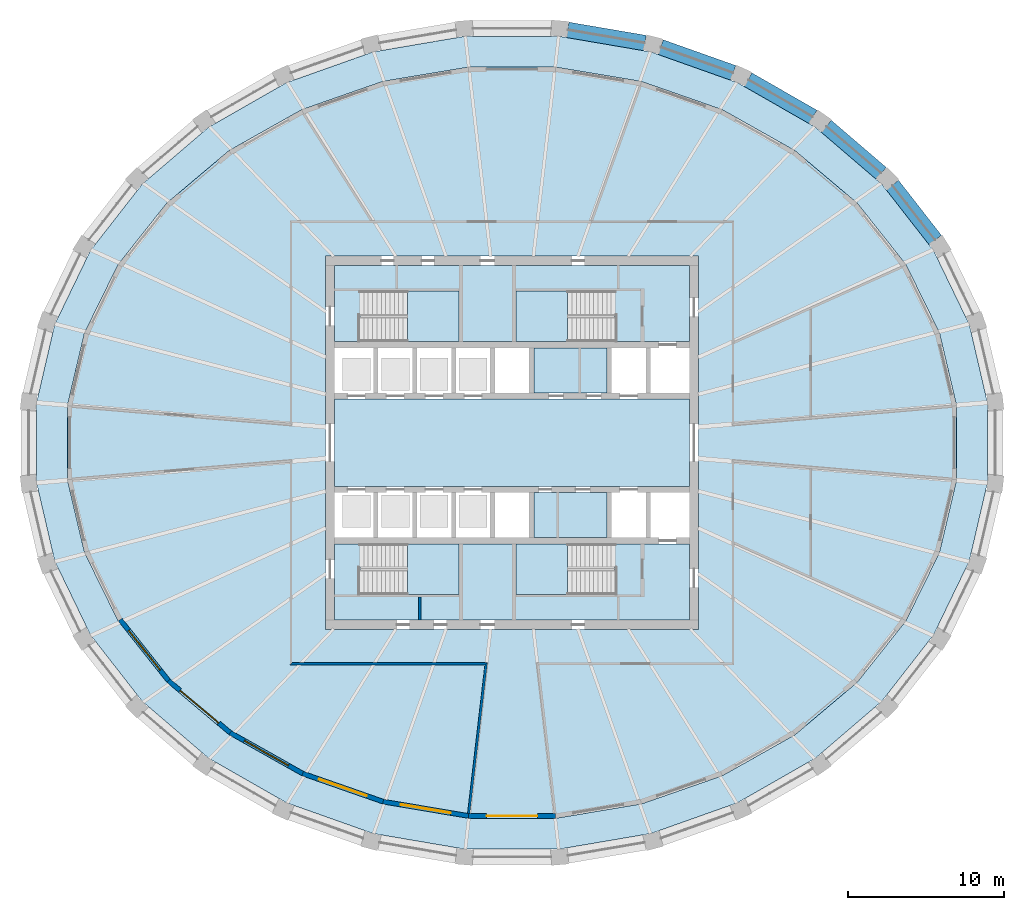
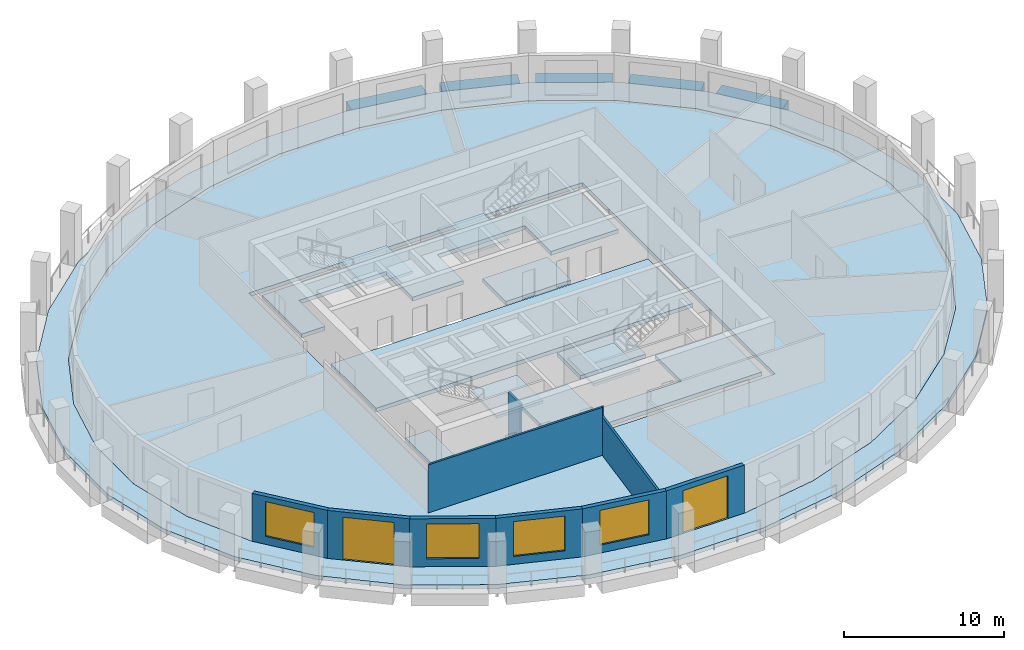
# One storey, part 2 of 10: 11 slabs, 9 walls, 5 beams, 4 windows, 2 doors, 6 openings, 4 elements without a shape of their own.
"""IFC4 building model written with IfcOpenShell, lengths in metres."""

from ifc_helpers import new_model, si_unit, direction, frame, frame_2d, origin, origin_2d, place, context, subcontext, project, spatial, polyline, rectangle, outline, extrude, material, layer, layer_set, material_profile, profile_set, type_object, element, fill, aggregate, save


model = new_model("IFC4")

# Units and contexts
model_context = context("Model", 3, precision=1e-05, world=origin(), true_north=direction((0.0, 1.0)))
body_context = subcontext(model_context, "Body", "Model", "MODEL_VIEW")
ifc_project = project(units=[si_unit("LENGTHUNIT", "METRE"), si_unit("AREAUNIT", "SQUARE_METRE"), si_unit("VOLUMEUNIT", "CUBIC_METRE"), si_unit("PLANEANGLEUNIT", "RADIAN"), si_unit("MASSUNIT", "GRAM", prefix="KILO")], contexts=[model_context])

# Site, building, storey
site_placement = place(None, origin())
site = spatial("IfcSite", under=ifc_project, at=site_placement, CompositionType="ELEMENT")
building_placement = place(site_placement, origin())
building = spatial("IfcBuilding", under=site, at=building_placement, Name="Halqa Exchange Tower", CompositionType="ELEMENT")
storey_placement = place(building_placement, frame((0.0, 0.0, 246.89990234375)))
storey = spatial("IfcBuildingStorey", under=building, at=storey_placement, Name="L57", CompositionType="ELEMENT", Elevation=246.89990234375)

# Beams
ifc_material_1 = material(Name="Concrete C60/75", Category="concrete")
ifc_material_profile = material_profile(ifc_material_1, rectangle(XDim=1.0, YDim=0.89990234375, at=origin_2d()), Name="1000 x 900")
ifc_profile_set = profile_set([ifc_material_profile], Name="Concrete C60/75")
beam_type = type_object("IfcBeamType", Name="RC spandrel beam 1000 x 900 C60/75", PredefinedType="SPANDREL", material=ifc_profile_set)
beam_1_placement = place(storey_placement, frame((27.20263671875, 13.024658203125, -0.449951171875), z_axis=(-0.614827074471, 0.788661948174, 0.0), x_axis=(-0.788661948174, -0.614827074471, 0.0)))
element("IfcBeam", 1, at=beam_1_placement, inside=storey, type_object=beam_type, Name="Spandrel 3", PredefinedType="SPANDREL", context=body_context, shape_type="SweptSolid", body=[
    extrude(rectangle(XDim=1.0, YDim=0.89990234375, at=origin_2d()), origin(), (0.0, 0.0, 1.0), 4.478759765625),
])
beam_2_placement = place(storey_placement, frame((23.72802734375, 17.312255859375, -0.449951171875), z_axis=(-0.759267722395, 0.650778399864, 0.0), x_axis=(-0.650778399864, -0.759267722395, 0.0)))
element("IfcBeam", 2, at=beam_2_placement, inside=storey, type_object=beam_type, Name="Spandrel 4", PredefinedType="SPANDREL", context=body_context, shape_type="SweptSolid", body=[
    extrude(rectangle(XDim=1.0, YDim=0.89990234375, at=origin_2d()), origin(), (0.0, 0.0, 1.0), 4.649169921875),
])
beam_3_placement = place(storey_placement, frame((19.345458984375, 20.939697265625, -0.449951171875), z_axis=(-0.8677465318, 0.497006998491, 0.0), x_axis=(-0.497006998491, -0.8677465318, 0.0)))
element("IfcBeam", 3, at=beam_3_placement, inside=storey, type_object=beam_type, Name="Spandrel 5", PredefinedType="SPANDREL", context=body_context, shape_type="SweptSolid", body=[
    extrude(rectangle(XDim=1.0, YDim=0.89990234375, at=origin_2d()), origin(), (0.0, 0.0, 1.0), 4.814453125),
])
beam_4_placement = place(storey_placement, frame((14.218994140625, 23.768310546875, -0.449951171875), z_axis=(-0.94237407927, 0.334561047822, 0.0), x_axis=(-0.334561047822, -0.94237407927, 0.0)))
element("IfcBeam", 4, at=beam_4_placement, inside=storey, type_object=beam_type, Name="Spandrel 6", PredefinedType="SPANDREL", context=body_context, shape_type="SweptSolid", body=[
    extrude(rectangle(XDim=1.0, YDim=0.89990234375, at=origin_2d()), origin(), (0.0, 0.0, 1.0), 4.94970703125),
])
beam_5_placement = place(storey_placement, frame((8.543212890625, 25.68798828125, -0.449951171875), z_axis=(-0.985775605401, 0.16806681944, 0.0), x_axis=(-0.16806681944, -0.985775605401, 0.0)))
element("IfcBeam", 5, at=beam_5_placement, inside=storey, type_object=beam_type, Name="Spandrel 7", PredefinedType="SPANDREL", context=body_context, shape_type="SweptSolid", body=[
    extrude(rectangle(XDim=1.0, YDim=0.89990234375, at=origin_2d()), origin(), (0.0, 0.0, 1.0), 5.039306640625),
])

# Slabs
ifc_layer_1 = layer(ifc_material_1, 0.300048828125)
ifc_layer_set_1 = layer_set([ifc_layer_1], Name="Concrete C60/75")
slab_type_1 = type_object("IfcSlabType", Name="Core floor slab 300", PredefinedType="FLOOR", material=ifc_layer_set_1)
slab_1_placement = place(storey_placement, frame((0.0, 0.0, -0.2998046875)))
element("IfcSlab", 6, at=slab_1_placement, inside=storey, type_object=slab_type_1, Name="Core floor slab", PredefinedType="FLOOR", context=body_context, shape_type="SweptSolid", body=[
    extrude(outline(polyline([(-11.39990234375, 2.800048828125), (11.39990234375, 2.800048828125), (11.39990234375, -2.800048828125), (-11.39990234375, -2.800048828125), (-11.39990234375, 2.800048828125)])), origin(), (0.0, 0.0, 1.0), 0.2998046875),
])
slab_2_placement = place(storey_placement, frame((0.0, 0.0, -0.2998046875)))
element("IfcSlab", 7, at=slab_2_placement, inside=storey, type_object=slab_type_1, Name="Core floor slab", PredefinedType="FLOOR", context=body_context, shape_type="SweptSolid", body=[
    extrude(outline(polyline([(-11.39990234375, 11.39990234375), (11.39990234375, 11.39990234375), (11.39990234375, 6.5), (6.550048828125, 6.5), (6.550048828125, 9.75), (0.25, 9.75), (0.25, 6.5), (-3.39990234375, 6.5), (-3.39990234375, 9.75), (-9.699951171875, 9.75), (-9.699951171875, 6.5), (-11.39990234375, 6.5), (-11.39990234375, 11.39990234375)])), origin(), (0.0, 0.0, 1.0), 0.2998046875),
])
slab_3_placement = place(storey_placement, frame((0.0, 0.0, -0.2998046875)))
element("IfcSlab", 8, at=slab_3_placement, inside=storey, type_object=slab_type_1, Name="Core floor slab", PredefinedType="FLOOR", context=body_context, shape_type="SweptSolid", body=[
    extrude(outline(polyline([(-9.699951171875, -9.75), (-3.39990234375, -9.75), (-3.39990234375, -6.5), (0.25, -6.5), (0.25, -9.75), (6.550048828125, -9.75), (6.550048828125, -6.5), (11.39990234375, -6.5), (11.39990234375, -11.39990234375), (-11.39990234375, -11.39990234375), (-11.39990234375, -6.5), (-9.699951171875, -6.5), (-9.699951171875, -9.75)])), origin(), (0.0, 0.0, 1.0), 0.2998046875),
])
slab_4_placement = place(storey_placement, frame((0.0, 0.0, -0.2998046875)))
element("IfcSlab", 9, at=slab_4_placement, inside=storey, type_object=slab_type_1, Name="Core floor slab", PredefinedType="FLOOR", context=body_context, shape_type="SweptSolid", body=[
    extrude(outline(polyline([(6.10009765625, -3.199951171875), (6.10009765625, -6.10009765625), (1.39990234375, -6.10009765625), (1.39990234375, -3.199951171875), (6.10009765625, -3.199951171875)])), origin(), (0.0, 0.0, 1.0), 0.2998046875),
])
slab_5_placement = place(storey_placement, frame((0.0, 0.0, -0.2998046875)))
element("IfcSlab", 10, at=slab_5_placement, inside=storey, type_object=slab_type_1, Name="Core floor slab", PredefinedType="FLOOR", context=body_context, shape_type="SweptSolid", body=[
    extrude(outline(polyline([(6.10009765625, 6.10009765625), (6.10009765625, 3.199951171875), (1.39990234375, 3.199951171875), (1.39990234375, 6.10009765625), (6.10009765625, 6.10009765625)])), origin(), (0.0, 0.0, 1.0), 0.2998046875),
])
ifc_material_2 = material(Name="Concrete C40/50", Category="concrete")
ifc_layer_2 = layer(ifc_material_2, 0.300048828125)
ifc_layer_set_2 = layer_set([ifc_layer_2], Name="Concrete C40/50")
slab_type_2 = type_object("IfcSlabType", Name="RC floor slab 300", PredefinedType="FLOOR", material=ifc_layer_set_2)
slab_6_placement = place(storey_placement, frame((0.0, 0.0, -0.2998046875)))
element("IfcSlab", 11, at=slab_6_placement, inside=storey, type_object=slab_type_2, Name="Floor slab", PredefinedType="FLOOR", context=body_context, shape_type="SweptSolid", body=[
    extrude(outline(polyline([(28.57373046875, 2.382568359375), (27.471435546875, 7.0546875), (25.310791015625, 11.451904296875), (22.177978515625, 15.40478515625), (18.1953125, 18.7626953125), (13.5166015625, 21.398193359375), (8.322021484375, 23.212158203125), (2.809814453125, 24.13671875), (-2.809814453125, 24.13671875), (-8.322021484375, 23.212158203125), (-13.5166015625, 21.398193359375), (-18.1953125, 18.7626953125), (-22.177978515625, 15.40478515625), (-25.310791015625, 11.451904296875), (-27.471435546875, 7.0546875), (-28.57373046875, 2.382568359375), (-28.57373046875, -2.382568359375), (-27.471435546875, -7.0546875), (-25.310791015625, -11.451904296875), (-22.177978515625, -15.40478515625), (-18.1953125, -18.7626953125), (-13.5166015625, -21.398193359375), (-8.322021484375, -23.212158203125), (-2.809814453125, -24.13671875), (2.809814453125, -24.13671875), (8.322021484375, -23.212158203125), (13.5166015625, -21.398193359375), (18.1953125, -18.7626953125), (22.177978515625, -15.40478515625), (25.310791015625, -11.451904296875), (27.471435546875, -7.0546875), (28.57373046875, -2.382568359375), (28.57373046875, 2.382568359375)]), holes=[polyline([(-12.0, -12.0), (12.0, -12.0), (12.0, 12.0), (-12.0, 12.0), (-12.0, -12.0)])]), origin(), (0.0, 0.0, 1.0), 0.2998046875),
])
ifc_layer_3 = layer(ifc_material_2, 0.300048828125)
ifc_layer_set_3 = layer_set([ifc_layer_3], Name="Concrete C40/50")
slab_type_3 = type_object("IfcSlabType", Name="RC loggia slab 300", PredefinedType="FLOOR", material=ifc_layer_set_3)
slab_7_placement = place(storey_placement, frame((0.0, 0.0, -0.2998046875)))
element("IfcSlab", 12, at=slab_7_placement, inside=storey, type_object=slab_type_3, Name="Loggia slab", PredefinedType="FLOOR", context=body_context, shape_type="SweptSolid", body=[
    extrude(outline(polyline([(30.560302734375, 2.564697265625), (30.560302734375, -2.564697265625), (29.39208984375, -7.598388671875), (27.09814453125, -12.34521484375), (23.762451171875, -16.624267578125), (19.51025390625, -20.26904296875), (14.5029296875, -23.136962890625), (8.933349609375, -25.114501953125), (3.016845703125, -26.123046875), (-3.016845703125, -26.123046875), (-8.933349609375, -25.114501953125), (-14.5029296875, -23.136962890625), (-19.51025390625, -20.26904296875), (-23.762451171875, -16.624267578125), (-27.09814453125, -12.34521484375), (-29.39208984375, -7.598388671875), (-30.560302734375, -2.564697265625), (-30.560302734375, 2.564697265625), (-29.39208984375, 7.598388671875), (-27.09814453125, 12.34521484375), (-23.762451171875, 16.624267578125), (-19.51025390625, 20.26904296875), (-14.5029296875, 23.136962890625), (-8.933349609375, 25.114501953125), (-3.016845703125, 26.123046875), (3.016845703125, 26.123046875), (8.933349609375, 25.114501953125), (14.5029296875, 23.136962890625), (19.51025390625, 20.26904296875), (23.762451171875, 16.624267578125), (27.09814453125, 12.34521484375), (29.39208984375, 7.598388671875), (30.560302734375, 2.564697265625)]), holes=[polyline([(28.57373046875, 2.382568359375), (27.471435546875, 7.0546875), (25.310791015625, 11.451904296875), (22.177978515625, 15.40478515625), (18.1953125, 18.7626953125), (13.5166015625, 21.398193359375), (8.322021484375, 23.212158203125), (2.809814453125, 24.13671875), (-2.809814453125, 24.13671875), (-8.322021484375, 23.212158203125), (-13.5166015625, 21.398193359375), (-18.1953125, 18.7626953125), (-22.177978515625, 15.40478515625), (-25.310791015625, 11.451904296875), (-27.471435546875, 7.0546875), (-28.57373046875, 2.382568359375), (-28.57373046875, -2.382568359375), (-27.471435546875, -7.0546875), (-25.310791015625, -11.451904296875), (-22.177978515625, -15.40478515625), (-18.1953125, -18.7626953125), (-13.5166015625, -21.398193359375), (-8.322021484375, -23.212158203125), (-2.809814453125, -24.13671875), (2.809814453125, -24.13671875), (8.322021484375, -23.212158203125), (13.5166015625, -21.398193359375), (18.1953125, -18.7626953125), (22.177978515625, -15.40478515625), (25.310791015625, -11.451904296875), (27.471435546875, -7.0546875), (28.57373046875, -2.382568359375), (28.57373046875, 2.382568359375)])]), origin(), (0.0, 0.0, 1.0), 0.2998046875),
])

# Stair, slab
ifc_material_3 = material(Name="Concrete C30/37", Category="concrete")
stair_type = type_object("IfcStairType", Name="Exit stair 1500 wide", PredefinedType="HALF_TURN_STAIR", material=ifc_material_3)
stair_1_placement = place(storey_placement, origin())
stair_1 = element("IfcStair", 13, at=stair_1_placement, inside=storey, type_object=stair_type, Name="Exit stair ST1", PredefinedType="HALF_TURN_STAIR")
ifc_layer_4 = layer(ifc_material_3, 0.199951171875)
ifc_layer_set_4 = layer_set([ifc_layer_4], Name="Concrete C30/37")
slab_type_4 = type_object("IfcSlabType", Name="Stair landing 200 slab", PredefinedType="LANDING", material=ifc_layer_set_4)
slab_8_placement = place(storey_placement, frame((0.0, 0.0, 1.800048828125)))
slab_8 = element("IfcSlab", 14, at=slab_8_placement, type_object=slab_type_4, Name="ST1 landing 1", PredefinedType="LANDING", context=body_context, shape_type="SweptSolid", body=[
    extrude(outline(polyline([(-6.719970703125, 6.5), (-3.39990234375, 6.5), (-3.39990234375, 9.75), (-6.719970703125, 9.75), (-6.719970703125, 6.5)])), origin(), (0.0, 0.0, 1.0), 0.199951171875),
])
aggregate(stair_1, [slab_8])

stair_2_placement = place(storey_placement, origin())
stair_2 = element("IfcStair", 15, at=stair_2_placement, inside=storey, type_object=stair_type, Name="Exit stair ST2", PredefinedType="HALF_TURN_STAIR")
slab_9_placement = place(storey_placement, frame((0.0, 0.0, 1.800048828125)))
slab_9 = element("IfcSlab", 16, at=slab_9_placement, type_object=slab_type_4, Name="ST2 landing 1", PredefinedType="LANDING", context=body_context, shape_type="SweptSolid", body=[
    extrude(outline(polyline([(0.25, 6.5), (3.570068359375, 6.5), (3.570068359375, 9.75), (0.25, 9.75), (0.25, 6.5)])), origin(), (0.0, 0.0, 1.0), 0.199951171875),
])
aggregate(stair_2, [slab_9])

stair_3_placement = place(storey_placement, origin())
stair_3 = element("IfcStair", 17, at=stair_3_placement, inside=storey, type_object=stair_type, Name="Exit stair ST3", PredefinedType="HALF_TURN_STAIR")
slab_10_placement = place(storey_placement, frame((0.0, 0.0, 1.800048828125)))
slab_10 = element("IfcSlab", 18, at=slab_10_placement, type_object=slab_type_4, Name="ST3 landing 1", PredefinedType="LANDING", context=body_context, shape_type="SweptSolid", body=[
    extrude(outline(polyline([(-6.719970703125, -9.75), (-3.39990234375, -9.75), (-3.39990234375, -6.5), (-6.719970703125, -6.5), (-6.719970703125, -9.75)])), origin(), (0.0, 0.0, 1.0), 0.199951171875),
])
aggregate(stair_3, [slab_10])

stair_4_placement = place(storey_placement, origin())
stair_4 = element("IfcStair", 19, at=stair_4_placement, inside=storey, type_object=stair_type, Name="Exit stair ST4", PredefinedType="HALF_TURN_STAIR")
slab_11_placement = place(storey_placement, frame((0.0, 0.0, 1.800048828125)))
slab_11 = element("IfcSlab", 20, at=slab_11_placement, type_object=slab_type_4, Name="ST4 landing 1", PredefinedType="LANDING", context=body_context, shape_type="SweptSolid", body=[
    extrude(outline(polyline([(0.25, -9.75), (3.570068359375, -9.75), (3.570068359375, -6.5), (0.25, -6.5), (0.25, -9.75)])), origin(), (0.0, 0.0, 1.0), 0.199951171875),
])
aggregate(stair_4, [slab_11])

# Walls
ifc_material_4 = material(Name="Fire-rated gypsum board")
ifc_layer_5 = layer(ifc_material_4, 0.14990234375)
ifc_layer_set_5 = layer_set([ifc_layer_5], Name="Fire-rated gypsum board")
wall_type_1 = type_object("IfcWallType", Name="Fire partition EI 60 150", PredefinedType="PARTITIONING", material=ifc_layer_set_5)
wall_1_placement = place(storey_placement, frame((-2.7841796875, -23.83251953125, 0.0), z_axis=(0.0, 0.0, 1.0), x_axis=(0.115927481877, 0.993257680034, 0.0)))
element("IfcWall", 21, at=wall_1_placement, inside=storey, type_object=wall_type_1, Name="L57-PWL-007", PredefinedType="PARTITIONING", context=body_context, shape_type="SweptSolid", body=[
    extrude(outline(polyline([(0.004638671875, -0.074951171875), (1.960205078125, -0.074951171875), (3.91552734375, -0.074951171875), (5.87109375, -0.074951171875), (7.82666015625, -0.074951171875), (9.7822265625, -0.074951171875), (9.697998046875, 0.0), (9.61376953125, 0.074951171875), (7.69091796875, 0.074951171875), (5.768310546875, 0.074951171875), (3.845458984375, 0.074951171875), (1.9228515625, 0.074951171875), (0.0, 0.074951171875), (0.0, -0.03515625), (0.004638671875, -0.074951171875)])), origin(), (0.0, 0.0, 1.0), 2.897216796875),
])
wall_2_placement = place(storey_placement, frame((-1.57568359375, -14.199951171875, 0.0), z_axis=(0.0, 0.0, 1.0), x_axis=(-1.0, 0.0, 0.0)))
element("IfcWall", 22, at=wall_2_placement, inside=storey, type_object=wall_type_1, Name="L57-PWL-008", PredefinedType="PARTITIONING", context=body_context, shape_type="SweptSolid", body=[
    extrude(outline(polyline([(0.0, -0.074951171875), (1.792724609375, -0.074951171875), (3.58544921875, -0.074951171875), (5.37841796875, -0.074951171875), (7.171142578125, -0.074951171875), (8.9638671875, -0.074951171875), (10.756591796875, -0.074951171875), (12.54931640625, -0.074951171875), (12.69921875, 0.074951171875), (10.9091796875, 0.074951171875), (9.118896484375, 0.074951171875), (7.328857421875, 0.074951171875), (5.538818359375, 0.074951171875), (3.748779296875, 0.074951171875), (1.95849609375, 0.074951171875), (0.16845703125, 0.074951171875), (0.0, -0.074951171875)])), origin(), (0.0, 0.0, 1.0), 3.650146484375),
])
ifc_material_5 = material(Name="Gypsum board")
ifc_layer_6 = layer(ifc_material_5, 0.14990234375)
ifc_layer_set_6 = layer_set([ifc_layer_6], Name="Gypsum board")
wall_type_2 = type_object("IfcWallType", Name="Penthouse riser wall 150 gypsum", PredefinedType="PARTITIONING", material=ifc_layer_set_6)
wall_3_placement = place(storey_placement, frame((-5.925048828125, -11.39990234375, 0.0), z_axis=(0.0, 0.0, 1.0), x_axis=(0.0, 1.0, 0.0)))
element("IfcWall", 23, at=wall_3_placement, inside=storey, type_object=wall_type_2, Name="Partition W5.925 S", PredefinedType="PARTITIONING", context=body_context, shape_type="SweptSolid", body=[
    extrude(rectangle(XDim=1.5, YDim=0.14990234375, at=frame_2d((0.75, 0.0))), origin(), (0.0, 0.0, 1.0), 3.650146484375),
])

# Wall, opening, window
ifc_material_6 = material(Name="Limestone cladding", Category="masonry")
ifc_layer_7 = layer(ifc_material_6, 0.0400390625)
ifc_material_7 = material(Name="Ventilated cavity")
ifc_layer_8 = layer(ifc_material_7, 0.030029296875, ventilated=True)
ifc_material_8 = material(Name="Mineral wool insulation")
ifc_layer_9 = layer(ifc_material_8, 0.10009765625)
ifc_layer_10 = layer(ifc_material_3, 0.10009765625)
ifc_material_9 = material(Name="Internal plaster")
ifc_layer_11 = layer(ifc_material_9, 0.030029296875)
ifc_layer_set_7 = layer_set([ifc_layer_7, ifc_layer_8, ifc_layer_9, ifc_layer_10, ifc_layer_11], Name="Stone-faced insulated wall 300")
wall_type_3 = type_object("IfcWallType", Name="Stone-faced insulated wall 300", PredefinedType="STANDARD", material=ifc_layer_set_7)
wall_4_placement = place(storey_placement, frame((-25.183349609375, -11.371337890625, 0.0), z_axis=(0.0, 0.0, 1.0), x_axis=(0.621130746167, -0.783706958094, 0.0)))
wall_4 = element("IfcWall", 24, at=wall_4_placement, inside=storey, type_object=wall_type_3, Name="Glass-line wall 19", PredefinedType="STANDARD", context=body_context, shape_type="SweptSolid", body=[
    extrude(outline(polyline([(-0.01611328125, -0.14990234375), (5.02783203125, -0.14990234375), (4.99755859375, 0.14990234375), (0.01611328125, 0.14990234375), (-0.01611328125, -0.14990234375)])), origin(), (0.0, 0.0, 1.0), 3.650146484375),
])
opening_1_placement = place(wall_4_placement, frame((0.88134765625, 0.0, 0.60009765625)))
opening_1 = element("IfcOpeningElement", 25, at=opening_1_placement, cuts=wall_4, Name="Opening W-F3-19", PredefinedType="OPENING", context=body_context, shape_type="SweptSolid", body=[
    extrude(rectangle(XDim=3.25, YDim=2.64990234375, at=frame_2d((1.625, 1.324951171875))), frame((0.0, 0.162109375, 0.0), z_axis=(0.0, -1.0, 0.0), x_axis=(1.0, 0.0, 0.0)), (0.0, 0.0, 1.0), 0.323974609375),
])
ifc_material_10 = material(Name="Clear low-emissivity glass in aluminium frame", Category="aluminium")
window_type = type_object("IfcWindowType", Name="Fixed clear glazed window 3250 x 2650", PartitioningType="TRIPLE_PANEL_VERTICAL", PredefinedType="WINDOW", material=ifc_material_10)
window_1_placement = place(opening_1_placement, origin())
window_1 = element("IfcWindow", 26, at=window_1_placement, inside=storey, type_object=window_type, Name="Window 3", OverallHeight=2.64990234375, OverallWidth=3.25, PartitioningType="TRIPLE_PANEL_VERTICAL", PredefinedType="WINDOW", context=body_context, shape_type="SweptSolid", body=[
    extrude(rectangle(XDim=3.25, YDim=2.64990234375, at=frame_2d((1.625, 1.324951171875))), frame((0.0, 0.030029296875, 0.0), z_axis=(0.0, -1.0, 0.0), x_axis=(1.0, 0.0, 0.0)), (0.0, 0.0, 1.0), 0.06005859375),
])
fill(opening_1, window_1)

# Wall, opening, door
wall_5_placement = place(storey_placement, frame((-22.06982421875, -15.2998046875, 0.0), z_axis=(0.0, 0.0, 1.0), x_axis=(0.764530975429, -0.644586989948, 0.0)))
wall_5 = element("IfcWall", 27, at=wall_5_placement, inside=storey, type_object=wall_type_3, Name="Glass-line wall 20", PredefinedType="STANDARD", context=body_context, shape_type="SweptSolid", body=[
    extrude(outline(polyline([(-0.01513671875, -0.14990234375), (5.1943359375, -0.14990234375), (5.166015625, 0.14990234375), (0.01513671875, 0.14990234375), (-0.01513671875, -0.14990234375)])), origin(), (0.0, 0.0, 1.0), 3.650146484375),
])
opening_2_placement = place(wall_5_placement, frame((0.965087890625, 0.0, 0.0)))
opening_2 = element("IfcOpeningElement", 28, at=opening_2_placement, cuts=wall_5, Name="Opening LG-F3-05", PredefinedType="OPENING", context=body_context, shape_type="SweptSolid", body=[
    extrude(rectangle(XDim=3.25, YDim=3.25, at=frame_2d((1.625, 1.625))), frame((0.0, 0.162109375, 0.0), z_axis=(0.0, -1.0, 0.0), x_axis=(1.0, 0.0, 0.0)), (0.0, 0.0, 1.0), 0.323974609375),
])
door_type = type_object("IfcDoorType", Name="Glazed sliding loggia door 3250 x 3250", OperationType="DOUBLE_DOOR_SLIDING", PredefinedType="DOOR", material=ifc_material_10)
door_1_placement = place(opening_2_placement, origin())
door_1 = element("IfcDoor", 29, at=door_1_placement, inside=storey, type_object=door_type, Name="Loggia door 5", OperationType="DOUBLE_DOOR_SLIDING", OverallHeight=3.25, OverallWidth=3.25, PredefinedType="DOOR", context=body_context, shape_type="SweptSolid", body=[
    extrude(rectangle(XDim=3.25, YDim=3.25, at=frame_2d((1.625, 1.625))), frame((0.0, 0.02490234375, 0.0), z_axis=(0.0, -1.0, 0.0), x_axis=(1.0, 0.0, 0.0)), (0.0, 0.0, 1.0), 0.050048828125),
])
fill(opening_2, door_1)

# Wall, opening, window
wall_6_placement = place(storey_placement, frame((-18.109375, -18.638916015625, 0.0), z_axis=(0.0, 0.0, 1.0), x_axis=(0.871275151053, -0.490794876865, 0.0)))
wall_6 = element("IfcWall", 30, at=wall_6_placement, inside=storey, type_object=wall_type_3, Name="Glass-line wall 21", PredefinedType="STANDARD", context=body_context, shape_type="SweptSolid", body=[
    extrude(outline(polyline([(-0.01416015625, -0.14990234375), (5.35595703125, -0.14990234375), (5.3291015625, 0.14990234375), (0.01416015625, 0.14990234375), (-0.01416015625, -0.14990234375)])), origin(), (0.0, 0.0, 1.0), 3.650146484375),
])
opening_3_placement = place(wall_6_placement, frame((1.046142578125, 0.0, 0.60009765625)))
opening_3 = element("IfcOpeningElement", 31, at=opening_3_placement, cuts=wall_6, Name="Opening W-F3-21", PredefinedType="OPENING", context=body_context, shape_type="SweptSolid", body=[
    extrude(rectangle(XDim=3.25, YDim=2.64990234375, at=frame_2d((1.625, 1.324951171875))), frame((0.0, 0.162109375, 0.0), z_axis=(0.0, -1.0, 0.0), x_axis=(1.0, 0.0, 0.0)), (0.0, 0.0, 1.0), 0.323974609375),
])
window_2_placement = place(opening_3_placement, origin())
window_2 = element("IfcWindow", 32, at=window_2_placement, inside=storey, type_object=window_type, Name="Window 3", OverallHeight=2.64990234375, OverallWidth=3.25, PartitioningType="TRIPLE_PANEL_VERTICAL", PredefinedType="WINDOW", context=body_context, shape_type="SweptSolid", body=[
    extrude(rectangle(XDim=3.25, YDim=2.64990234375, at=frame_2d((1.625, 1.324951171875))), frame((0.0, 0.030029296875, 0.0), z_axis=(0.0, -1.0, 0.0), x_axis=(1.0, 0.0, 0.0)), (0.0, 0.0, 1.0), 0.06005859375),
])
fill(opening_3, window_2)

wall_7_placement = place(storey_placement, frame((-13.45458984375, -21.260986328125, 0.0), z_axis=(0.0, 0.0, 1.0), x_axis=(0.944093730832, -0.329677156326, 0.0)))
wall_7 = element("IfcWall", 33, at=wall_7_placement, inside=storey, type_object=wall_type_3, Name="Glass-line wall 22", PredefinedType="STANDARD", context=body_context, shape_type="SweptSolid", body=[
    extrude(outline(polyline([(-0.013427734375, -0.14990234375), (5.489013671875, -0.14990234375), (5.463623046875, 0.14990234375), (0.013427734375, 0.14990234375), (-0.013427734375, -0.14990234375)])), origin(), (0.0, 0.0, 1.0), 3.650146484375),
])
opening_4_placement = place(wall_7_placement, frame((1.113037109375, 0.0, 0.60009765625)))
opening_4 = element("IfcOpeningElement", 34, at=opening_4_placement, cuts=wall_7, Name="Opening W-F3-22", PredefinedType="OPENING", context=body_context, shape_type="SweptSolid", body=[
    extrude(rectangle(XDim=3.25, YDim=2.64990234375, at=frame_2d((1.625, 1.324951171875))), frame((0.0, 0.162109375, 0.0), z_axis=(0.0, -1.0, 0.0), x_axis=(1.0, 0.0, 0.0)), (0.0, 0.0, 1.0), 0.323974609375),
])
window_3_placement = place(opening_4_placement, origin())
window_3 = element("IfcWindow", 35, at=window_3_placement, inside=storey, type_object=window_type, Name="Window 3", OverallHeight=2.64990234375, OverallWidth=3.25, PartitioningType="TRIPLE_PANEL_VERTICAL", PredefinedType="WINDOW", context=body_context, shape_type="SweptSolid", body=[
    extrude(rectangle(XDim=3.25, YDim=2.64990234375, at=frame_2d((1.625, 1.324951171875))), frame((0.0, 0.030029296875, 0.0), z_axis=(0.0, -1.0, 0.0), x_axis=(1.0, 0.0, 0.0)), (0.0, 0.0, 1.0), 0.06005859375),
])
fill(opening_4, window_3)

wall_8_placement = place(storey_placement, frame((-8.284423828125, -23.06640625, 0.0), z_axis=(0.0, 0.0, 1.0), x_axis=(0.98622977737, -0.16538085206, 0.0)))
wall_8 = element("IfcWall", 36, at=wall_8_placement, inside=storey, type_object=wall_type_3, Name="Glass-line wall 23", PredefinedType="STANDARD", context=body_context, shape_type="SweptSolid", body=[
    extrude(outline(polyline([(-0.0126953125, -0.14990234375), (5.576416015625, -0.14990234375), (5.551513671875, 0.14990234375), (0.0126953125, 0.14990234375), (-0.0126953125, -0.14990234375)])), origin(), (0.0, 0.0, 1.0), 3.650146484375),
])
opening_5_placement = place(wall_8_placement, frame((1.156982421875, 0.0, 0.60009765625)))
opening_5 = element("IfcOpeningElement", 37, at=opening_5_placement, cuts=wall_8, Name="Opening W-F3-23", PredefinedType="OPENING", context=body_context, shape_type="SweptSolid", body=[
    extrude(rectangle(XDim=3.25, YDim=2.64990234375, at=frame_2d((1.625, 1.324951171875))), frame((0.0, 0.162109375, 0.0), z_axis=(0.0, -1.0, 0.0), x_axis=(1.0, 0.0, 0.0)), (0.0, 0.0, 1.0), 0.323974609375),
])
window_4_placement = place(opening_5_placement, origin())
window_4 = element("IfcWindow", 38, at=window_4_placement, inside=storey, type_object=window_type, Name="Window 3", OverallHeight=2.64990234375, OverallWidth=3.25, PartitioningType="TRIPLE_PANEL_VERTICAL", PredefinedType="WINDOW", context=body_context, shape_type="SweptSolid", body=[
    extrude(rectangle(XDim=3.25, YDim=2.64990234375, at=frame_2d((1.625, 1.324951171875))), frame((0.0, 0.030029296875, 0.0), z_axis=(0.0, -1.0, 0.0), x_axis=(1.0, 0.0, 0.0)), (0.0, 0.0, 1.0), 0.06005859375),
])
fill(opening_5, window_4)

# Wall, opening, door
wall_9_placement = place(storey_placement, frame((-2.797119140625, -23.986572265625, 0.0), z_axis=(0.0, 0.0, 1.0), x_axis=(1.0, 0.0, 0.0)))
wall_9 = element("IfcWall", 39, at=wall_9_placement, inside=storey, type_object=wall_type_3, Name="Glass-line wall 24", PredefinedType="STANDARD", context=body_context, shape_type="SweptSolid", body=[
    extrude(outline(polyline([(-0.012451171875, -0.14990234375), (5.606689453125, -0.14990234375), (5.581787109375, 0.14990234375), (0.012451171875, 0.14990234375), (-0.012451171875, -0.14990234375)])), origin(), (0.0, 0.0, 1.0), 3.650146484375),
])
opening_6_placement = place(wall_9_placement, frame((1.172119140625, 0.0, 0.0)))
opening_6 = element("IfcOpeningElement", 40, at=opening_6_placement, cuts=wall_9, Name="Opening LG-F3-06", PredefinedType="OPENING", context=body_context, shape_type="SweptSolid", body=[
    extrude(rectangle(XDim=3.25, YDim=3.25, at=frame_2d((1.625, 1.625))), frame((0.0, 0.162109375, 0.0), z_axis=(0.0, -1.0, 0.0), x_axis=(1.0, 0.0, 0.0)), (0.0, 0.0, 1.0), 0.323974609375),
])
door_2_placement = place(opening_6_placement, origin())
door_2 = element("IfcDoor", 41, at=door_2_placement, inside=storey, type_object=door_type, Name="Loggia door 6", OperationType="DOUBLE_DOOR_SLIDING", OverallHeight=3.25, OverallWidth=3.25, PredefinedType="DOOR", context=body_context, shape_type="SweptSolid", body=[
    extrude(rectangle(XDim=3.25, YDim=3.25, at=frame_2d((1.625, 1.625))), frame((0.0, 0.02490234375, 0.0), z_axis=(0.0, -1.0, 0.0), x_axis=(1.0, 0.0, 0.0)), (0.0, 0.0, 1.0), 0.050048828125),
])
fill(opening_6, door_2)

save(model, "model.ifc")
